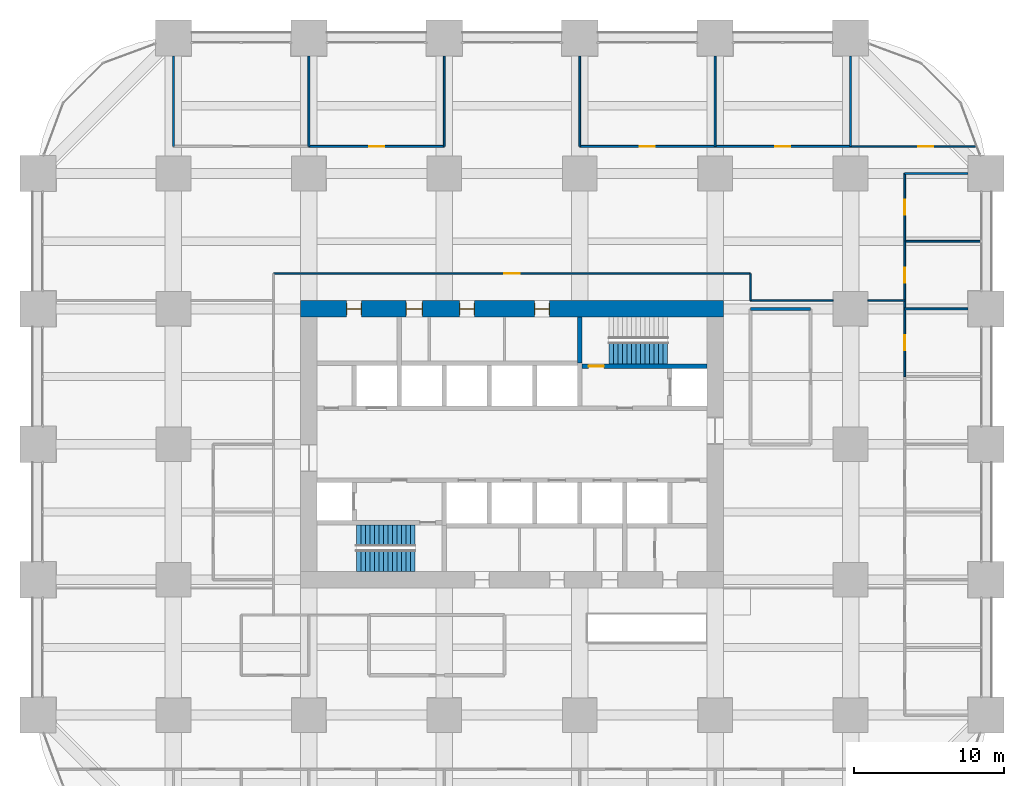
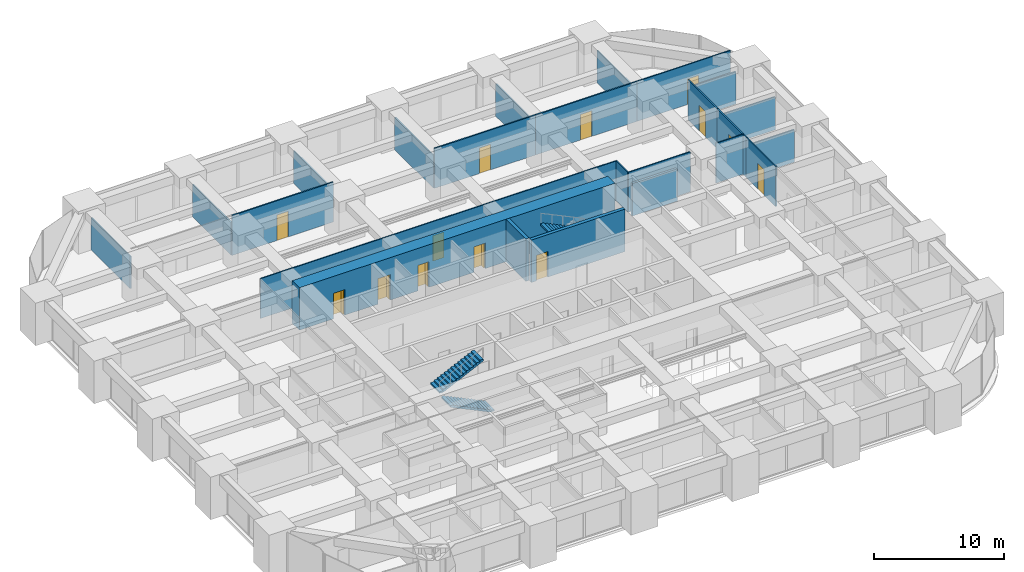
# One storey, part 42 of 45: 24 walls, 13 doors, 3 stair flights, 13 openings, 2 elements without a shape of their own.
"""IFC4 building model written with IfcOpenShell, lengths in metres."""

from ifc_helpers import new_model, si_unit, direction, frame, frame_2d, origin, place, context, subcontext, project, spatial, polyline, rectangle, outline, extrude, material, layer, layer_set, type_object, element, fill, aggregate, save


model = new_model("IFC4")

# Units and contexts
model_context = context("Model", 3, precision=1e-05, world=origin(), true_north=direction((0.0, 1.0)))
body_context = subcontext(model_context, "Body", "Model", "MODEL_VIEW")
ifc_project = project(units=[si_unit("LENGTHUNIT", "METRE"), si_unit("AREAUNIT", "SQUARE_METRE"), si_unit("VOLUMEUNIT", "CUBIC_METRE"), si_unit("PLANEANGLEUNIT", "RADIAN"), si_unit("MASSUNIT", "GRAM", prefix="KILO")], contexts=[model_context])

# Site, building, storey
site_placement = place(None, origin())
site = spatial("IfcSite", under=ifc_project, at=site_placement, CompositionType="ELEMENT")
building_placement = place(site_placement, origin())
building = spatial("IfcBuilding", under=site, at=building_placement, Name="Zorevar Civic Tower", CompositionType="ELEMENT")
storey_placement = place(building_placement, frame((0.0, 0.0, 27.800048828125)))
storey = spatial("IfcBuildingStorey", under=building, at=storey_placement, Name="L06", CompositionType="ELEMENT", Elevation=27.800048828125)

# Wall
ifc_material_1 = material(Name="Concrete blockwork", Category="masonry")
ifc_layer_1 = layer(ifc_material_1, 0.199951171875)
ifc_layer_set_1 = layer_set([ifc_layer_1], Name="Blockwork wall 200")
wall_type_1 = type_object("IfcWallType", Name="Blockwork wall 200", PredefinedType="SOLIDWALL", material=ifc_layer_set_1)
wall_1_placement = place(storey_placement, frame((47.35009765625, 36.0, 0.0), z_axis=(0.0, 0.0, 1.0), x_axis=(1.0, 0.0, 0.0)))
element("IfcWall", 1, at=wall_1_placement, inside=storey, type_object=wall_type_1, Name="Blockwork wall 200 L06", PredefinedType="SOLIDWALL", context=body_context, shape_type="SweptSolid", body=[
    extrude(rectangle(XDim=4.0, YDim=0.199951171875, at=frame_2d((2.0, 0.0))), origin(), (0.0, 0.0, 1.0), 3.050048828125),
])

# Wall, openings, doors
ifc_material_2 = material(Name="Concrete C50/60", Category="concrete")
ifc_layer_2 = layer(ifc_material_2, 1.10009765625)
ifc_layer_set_2 = layer_set([ifc_layer_2], Name="Core wall 1100")
wall_type_2 = type_object("IfcWallType", Name="Core wall 1100", PredefinedType="SHEAR", material=ifc_layer_set_2)
wall_2_placement = place(storey_placement, frame((45.550048828125, 36.0, 0.0), z_axis=(0.0, 0.0, 1.0), x_axis=(-1.0, 0.0, 0.0)))
wall_2 = element("IfcWall", 2, at=wall_2_placement, inside=storey, type_object=wall_type_2, Name="Core wall N L06", PredefinedType="SHEAR", context=body_context, shape_type="SweptSolid", body=[
    extrude(rectangle(XDim=28.10009765625, YDim=1.10009765625, at=frame_2d((14.050048828125, 0.0))), origin(), (0.0, 0.0, 1.0), 4.0),
])
opening_1_placement = place(wall_2_placement, frame((11.550048828125, 0.0, 0.0)))
opening_1 = element("IfcOpeningElement", 3, at=opening_1_placement, cuts=wall_2, Name="Opening L06.07", PredefinedType="OPENING", context=body_context, shape_type="SweptSolid", body=[
    extrude(rectangle(XDim=1.0, YDim=2.39990234375, at=frame_2d((0.5, 1.199951171875))), frame((0.0, 0.56005859375, 0.0), z_axis=(0.0, -1.0, 0.0), x_axis=(1.0, 0.0, 0.0)), (0.0, 0.0, 1.0), 1.1201171875),
])
opening_2_placement = place(wall_2_placement, frame((16.550048828125, 0.0, 0.0)))
opening_2 = element("IfcOpeningElement", 4, at=opening_2_placement, cuts=wall_2, Name="Opening L06.08", PredefinedType="OPENING", context=body_context, shape_type="SweptSolid", body=[
    extrude(rectangle(XDim=1.0, YDim=2.39990234375, at=frame_2d((0.5, 1.199951171875))), frame((0.0, 0.56005859375, 0.0), z_axis=(0.0, -1.0, 0.0), x_axis=(1.0, 0.0, 0.0)), (0.0, 0.0, 1.0), 1.1201171875),
])
opening_3_placement = place(wall_2_placement, frame((20.0, 0.0, 0.0)))
opening_3 = element("IfcOpeningElement", 5, at=opening_3_placement, cuts=wall_2, Name="Opening L06.09", PredefinedType="OPENING", context=body_context, shape_type="SweptSolid", body=[
    extrude(rectangle(XDim=1.10009765625, YDim=2.39990234375, at=frame_2d((0.550048828125, 1.199951171875))), frame((0.0, 0.56005859375, 0.0), z_axis=(0.0, -1.0, 0.0), x_axis=(1.0, 0.0, 0.0)), (0.0, 0.0, 1.0), 1.1201171875),
])
opening_4_placement = place(wall_2_placement, frame((24.050048828125, 0.0, 0.0)))
opening_4 = element("IfcOpeningElement", 6, at=opening_4_placement, cuts=wall_2, Name="Opening L06.10", PredefinedType="OPENING", context=body_context, shape_type="SweptSolid", body=[
    extrude(rectangle(XDim=1.0, YDim=2.39990234375, at=frame_2d((0.5, 1.199951171875))), frame((0.0, 0.56005859375, 0.0), z_axis=(0.0, -1.0, 0.0), x_axis=(1.0, 0.0, 0.0)), (0.0, 0.0, 1.0), 1.1201171875),
])
ifc_material_3 = material(Name="Timber door set", Category="wood")
door_type_1 = type_object("IfcDoorType", Name="Door D1 1000x2400", OperationType="SINGLE_SWING_LEFT", PredefinedType="DOOR", material=ifc_material_3)
door_1_placement = place(opening_1_placement, origin())
door_1 = element("IfcDoor", 7, at=door_1_placement, inside=storey, type_object=door_type_1, Name="Door L06 06", OperationType="SINGLE_SWING_RIGHT", OverallHeight=2.39990234375, OverallWidth=1.0, PredefinedType="DOOR", context=body_context, shape_type="SweptSolid", body=[
    extrude(rectangle(XDim=1.0, YDim=2.39990234375, at=frame_2d((0.5, 1.199951171875))), frame((0.0, 0.02490234375, 0.0), z_axis=(0.0, -1.0, 0.0), x_axis=(1.0, 0.0, 0.0)), (0.0, 0.0, 1.0), 0.050048828125),
    extrude(rectangle(XDim=0.04, YDim=2.39990234375, at=frame_2d((0.02001953125, 1.199951171875))), frame((0.0, 0.39990234375, 0.0), z_axis=(0.0, -1.0, 0.0), x_axis=(1.0, 0.0, 0.0)), (0.0, 0.0, 1.0), 0.800048828125),
    extrude(rectangle(XDim=0.04, YDim=2.39990234375, at=frame_2d((0.97998046875, 1.199951171875))), frame((0.0, 0.39990234375, 0.0), z_axis=(0.0, -1.0, 0.0), x_axis=(1.0, 0.0, 0.0)), (0.0, 0.0, 1.0), 0.800048828125),
    extrude(rectangle(XDim=1.0, YDim=0.04, at=frame_2d((0.5, 2.3798828125))), frame((0.0, 0.39990234375, 0.0), z_axis=(0.0, -1.0, 0.0), x_axis=(1.0, 0.0, 0.0)), (0.0, 0.0, 1.0), 0.800048828125),
])
fill(opening_1, door_1)
door_2_placement = place(opening_2_placement, origin())
door_2 = element("IfcDoor", 8, at=door_2_placement, inside=storey, type_object=door_type_1, Name="Door L06 07", OperationType="SINGLE_SWING_LEFT", OverallHeight=2.39990234375, OverallWidth=1.0, PredefinedType="DOOR", context=body_context, shape_type="SweptSolid", body=[
    extrude(rectangle(XDim=1.0, YDim=2.39990234375, at=frame_2d((0.5, 1.199951171875))), frame((0.0, 0.02490234375, 0.0), z_axis=(0.0, -1.0, 0.0), x_axis=(1.0, 0.0, 0.0)), (0.0, 0.0, 1.0), 0.050048828125),
    extrude(rectangle(XDim=0.04, YDim=2.39990234375, at=frame_2d((0.02001953125, 1.199951171875))), frame((0.0, 0.39990234375, 0.0), z_axis=(0.0, -1.0, 0.0), x_axis=(1.0, 0.0, 0.0)), (0.0, 0.0, 1.0), 0.800048828125),
    extrude(rectangle(XDim=0.04, YDim=2.39990234375, at=frame_2d((0.97998046875, 1.199951171875))), frame((0.0, 0.39990234375, 0.0), z_axis=(0.0, -1.0, 0.0), x_axis=(1.0, 0.0, 0.0)), (0.0, 0.0, 1.0), 0.800048828125),
    extrude(rectangle(XDim=1.0, YDim=0.04, at=frame_2d((0.5, 2.3798828125))), frame((0.0, 0.39990234375, 0.0), z_axis=(0.0, -1.0, 0.0), x_axis=(1.0, 0.0, 0.0)), (0.0, 0.0, 1.0), 0.800048828125),
])
fill(opening_2, door_2)
door_3_placement = place(opening_4_placement, origin())
door_3 = element("IfcDoor", 9, at=door_3_placement, inside=storey, type_object=door_type_1, Name="Door L06 09", OperationType="SINGLE_SWING_LEFT", OverallHeight=2.39990234375, OverallWidth=1.0, PredefinedType="DOOR", context=body_context, shape_type="SweptSolid", body=[
    extrude(rectangle(XDim=1.0, YDim=2.39990234375, at=frame_2d((0.5, 1.199951171875))), frame((0.0, 0.02490234375, 0.0), z_axis=(0.0, -1.0, 0.0), x_axis=(1.0, 0.0, 0.0)), (0.0, 0.0, 1.0), 0.050048828125),
    extrude(rectangle(XDim=0.04, YDim=2.39990234375, at=frame_2d((0.02001953125, 1.199951171875))), frame((0.0, 0.39990234375, 0.0), z_axis=(0.0, -1.0, 0.0), x_axis=(1.0, 0.0, 0.0)), (0.0, 0.0, 1.0), 0.800048828125),
    extrude(rectangle(XDim=0.04, YDim=2.39990234375, at=frame_2d((0.97998046875, 1.199951171875))), frame((0.0, 0.39990234375, 0.0), z_axis=(0.0, -1.0, 0.0), x_axis=(1.0, 0.0, 0.0)), (0.0, 0.0, 1.0), 0.800048828125),
    extrude(rectangle(XDim=1.0, YDim=0.04, at=frame_2d((0.5, 2.3798828125))), frame((0.0, 0.39990234375, 0.0), z_axis=(0.0, -1.0, 0.0), x_axis=(1.0, 0.0, 0.0)), (0.0, 0.0, 1.0), 0.800048828125),
])
fill(opening_4, door_3)
ifc_material_4 = material(Name="Timber door set", Category="wood")
door_type_2 = type_object("IfcDoorType", Name="Door D5 1100x2400", OperationType="SINGLE_SWING_LEFT", PredefinedType="DOOR", material=ifc_material_4)
door_4_placement = place(opening_3_placement, origin())
door_4 = element("IfcDoor", 10, at=door_4_placement, inside=storey, type_object=door_type_2, Name="Door L06 08", OperationType="SINGLE_SWING_LEFT", OverallHeight=2.39990234375, OverallWidth=1.10009765625, PredefinedType="DOOR", context=body_context, shape_type="SweptSolid", body=[
    extrude(rectangle(XDim=1.10009765625, YDim=2.39990234375, at=frame_2d((0.550048828125, 1.199951171875))), frame((0.0, 0.02490234375, 0.0), z_axis=(0.0, -1.0, 0.0), x_axis=(1.0, 0.0, 0.0)), (0.0, 0.0, 1.0), 0.050048828125),
    extrude(rectangle(XDim=0.04, YDim=2.39990234375, at=frame_2d((0.02001953125, 1.199951171875))), frame((0.0, 0.43994140625, 0.0), z_axis=(0.0, -1.0, 0.0), x_axis=(1.0, 0.0, 0.0)), (0.0, 0.0, 1.0), 0.880126953125),
    extrude(rectangle(XDim=0.04, YDim=2.39990234375, at=frame_2d((1.080078125, 1.199951171875))), frame((0.0, 0.43994140625, 0.0), z_axis=(0.0, -1.0, 0.0), x_axis=(1.0, 0.0, 0.0)), (0.0, 0.0, 1.0), 0.880126953125),
    extrude(rectangle(XDim=1.10009765625, YDim=0.04, at=frame_2d((0.550048828125, 2.3798828125))), frame((0.0, 0.43994140625, 0.0), z_axis=(0.0, -1.0, 0.0), x_axis=(1.0, 0.0, 0.0)), (0.0, 0.0, 1.0), 0.880126953125),
])
fill(opening_3, door_4)

# Walls
ifc_material_5 = material(Name="Laminated glass in black aluminium frame", Category="aluminium")
ifc_layer_3 = layer(ifc_material_5, 0.10009765625)
ifc_layer_set_3 = layer_set([ifc_layer_3], Name="Glazed partition 100")
wall_type_3 = type_object("IfcWallType", Name="Glazed partition 100", PredefinedType="PARTITIONING", material=ifc_layer_set_3)
wall_3_placement = place(storey_placement, frame((47.35009765625, 36.550048828125, 0.0), z_axis=(0.0, 0.0, 1.0), x_axis=(1.0, 0.0, 0.0)))
element("IfcWall", 11, at=wall_3_placement, inside=storey, type_object=wall_type_3, Name="Glazed partition 100 L06", PredefinedType="PARTITIONING", context=body_context, shape_type="SweptSolid", body=[
    extrude(rectangle(XDim=5.5, YDim=0.10009765625, at=frame_2d((2.75, 0.0))), origin(), (0.0, 0.0, 1.0), 3.75),
])
wall_4_placement = place(storey_placement, frame((55.14990234375, 36.550048828125, 0.0), z_axis=(0.0, 0.0, 1.0), x_axis=(1.0, 0.0, 0.0)))
element("IfcWall", 12, at=wall_4_placement, inside=storey, type_object=wall_type_3, Name="Glazed partition 100 L06", PredefinedType="PARTITIONING", context=body_context, shape_type="SweptSolid", body=[
    extrude(rectangle(XDim=2.460205078125, YDim=0.10009765625, at=frame_2d((1.22998046875, 0.0))), origin(), (0.0, 0.0, 1.0), 3.75),
])

# Wall, opening, door
wall_5_placement = place(storey_placement, frame((15.64990234375, 38.35009765625, 0.0), z_axis=(0.0, 0.0, 1.0), x_axis=(1.0, 0.0, 0.0)))
wall_5 = element("IfcWall", 13, at=wall_5_placement, inside=storey, type_object=wall_type_3, Name="Glazed partition 100 L06", PredefinedType="PARTITIONING", context=body_context, shape_type="SweptSolid", body=[
    extrude(rectangle(XDim=31.7001953125, YDim=0.10009765625, at=frame_2d((15.85009765625, 0.0))), origin(), (0.0, 0.0, 1.0), 3.75),
])
opening_5_placement = place(wall_5_placement, frame((15.35009765625, 0.0, 0.0)))
opening_5 = element("IfcOpeningElement", 14, at=opening_5_placement, cuts=wall_5, Name="Opening L06.29", PredefinedType="OPENING", context=body_context, shape_type="SweptSolid", body=[
    extrude(rectangle(XDim=1.0, YDim=2.39990234375, at=frame_2d((0.5, 1.199951171875))), frame((0.0, 0.06005859375, 0.0), z_axis=(0.0, -1.0, 0.0), x_axis=(1.0, 0.0, 0.0)), (0.0, 0.0, 1.0), 0.1201171875),
])
ifc_material_6 = material(Name="Timber door set", Category="wood")
door_type_3 = type_object("IfcDoorType", Name="Glazed door GD1 1000x2400", OperationType="SINGLE_SWING_LEFT", PredefinedType="DOOR", material=ifc_material_6)
door_5_placement = place(opening_5_placement, origin())
door_5 = element("IfcDoor", 15, at=door_5_placement, inside=storey, type_object=door_type_3, Name="Door L06 D1", OperationType="SINGLE_SWING_LEFT", OverallHeight=2.39990234375, OverallWidth=1.0, PredefinedType="DOOR", context=body_context, shape_type="SweptSolid", body=[
    extrude(rectangle(XDim=1.0, YDim=2.39990234375, at=frame_2d((0.5, 1.199951171875))), frame((0.0, 0.02001953125, 0.0), z_axis=(0.0, -1.0, 0.0), x_axis=(1.0, 0.0, 0.0)), (0.0, 0.0, 1.0), 0.0400390625),
])
fill(opening_5, door_5)

wall_6_placement = place(storey_placement, frame((54.0, 46.800048828125, 0.0), z_axis=(0.0, 0.0, 1.0), x_axis=(1.0, 0.0, 0.0)))
wall_6 = element("IfcWall", 16, at=wall_6_placement, inside=storey, type_object=wall_type_3, Name="Glazed partition 100 L06", PredefinedType="PARTITIONING", context=body_context, shape_type="SweptSolid", body=[
    extrude(rectangle(XDim=8.359375, YDim=0.10009765625, at=frame_2d((4.1796875, 0.0))), origin(), (0.0, 0.0, 1.0), 3.75),
])
opening_6_placement = place(wall_6_placement, frame((4.5, 0.0, 0.0)))
opening_6 = element("IfcOpeningElement", 17, at=opening_6_placement, cuts=wall_6, Name="Opening L06.34", PredefinedType="OPENING", context=body_context, shape_type="SweptSolid", body=[
    extrude(rectangle(XDim=1.0, YDim=2.39990234375, at=frame_2d((0.5, 1.199951171875))), frame((0.0, 0.06005859375, 0.0), z_axis=(0.0, -1.0, 0.0), x_axis=(1.0, 0.0, 0.0)), (0.0, 0.0, 1.0), 0.1201171875),
])
door_6_placement = place(opening_6_placement, origin())
door_6 = element("IfcDoor", 18, at=door_6_placement, inside=storey, type_object=door_type_3, Name="Door L06 D1", OperationType="SINGLE_SWING_RIGHT", OverallHeight=2.39990234375, OverallWidth=1.0, PredefinedType="DOOR", context=body_context, shape_type="SweptSolid", body=[
    extrude(rectangle(XDim=1.0, YDim=2.39990234375, at=frame_2d((0.5, 1.199951171875))), frame((0.0, 0.02001953125, 0.0), z_axis=(0.0, -1.0, 0.0), x_axis=(1.0, 0.0, 0.0)), (0.0, 0.0, 1.0), 0.0400390625),
])
fill(opening_6, door_6)

# Wall
wall_7_placement = place(storey_placement, frame((47.35009765625, 36.550048828125, 0.0), z_axis=(0.0, 0.0, 1.0), x_axis=(0.0, 1.0, 0.0)))
element("IfcWall", 19, at=wall_7_placement, inside=storey, type_object=wall_type_3, Name="Glazed partition 100 L06", PredefinedType="PARTITIONING", context=body_context, shape_type="SweptSolid", body=[
    extrude(rectangle(XDim=1.800048828125, YDim=0.10009765625, at=frame_2d((0.89990234375, 0.0))), origin(), (0.0, 0.0, 1.0), 3.75),
])

# Wall, opening, door
ifc_material_7 = material(Name="Concrete C40/50", Category="concrete")
ifc_layer_4 = layer(ifc_material_7, 0.300048828125)
ifc_layer_set_4 = layer_set([ifc_layer_4], Name="Inner core wall 300")
wall_type_4 = type_object("IfcWallType", Name="Inner core wall 300", PredefinedType="SHEAR", material=ifc_layer_set_4)
wall_8_placement = place(storey_placement, frame((36.14990234375, 32.199951171875, 0.0), z_axis=(0.0, 0.0, 1.0), x_axis=(1.0, 0.0, 0.0)))
wall_8 = element("IfcWall", 20, at=wall_8_placement, inside=storey, type_object=wall_type_4, Name="Inner core wall N00 L06", PredefinedType="SHEAR", context=body_context, shape_type="SweptSolid", body=[
    extrude(rectangle(XDim=8.300048828125, YDim=0.300048828125, at=frame_2d((4.14990234375, 0.0))), origin(), (0.0, 0.0, 1.0), 4.0),
])
opening_7_placement = place(wall_8_placement, frame((0.449951171875, 0.0, 0.0)))
opening_7 = element("IfcOpeningElement", 21, at=opening_7_placement, cuts=wall_8, Name="Opening L06.12", PredefinedType="OPENING", context=body_context, shape_type="SweptSolid", body=[
    extrude(rectangle(XDim=1.0, YDim=2.39990234375, at=frame_2d((0.5, 1.199951171875))), frame((0.0, 0.159912109375, 0.0), z_axis=(0.0, -1.0, 0.0), x_axis=(1.0, 0.0, 0.0)), (0.0, 0.0, 1.0), 0.320068359375),
])
ifc_material_8 = material(Name="Steel door set", Category="steel")
door_type_4 = type_object("IfcDoorType", Name="Fire door FD1 1000x2400", OperationType="SINGLE_SWING_LEFT", PredefinedType="DOOR", material=ifc_material_8)
door_7_placement = place(opening_7_placement, origin())
door_7 = element("IfcDoor", 22, at=door_7_placement, inside=storey, type_object=door_type_4, Name="Door L06 11", OperationType="SINGLE_SWING_RIGHT", OverallHeight=2.39990234375, OverallWidth=1.0, PredefinedType="DOOR", context=body_context, shape_type="SweptSolid", body=[
    extrude(rectangle(XDim=1.0, YDim=2.39990234375, at=frame_2d((0.5, 1.199951171875))), frame((0.0, 0.030029296875, 0.0), z_axis=(0.0, -1.0, 0.0), x_axis=(1.0, 0.0, 0.0)), (0.0, 0.0, 1.0), 0.06005859375),
])
fill(opening_7, door_7)

# Walls
wall_9_placement = place(storey_placement, frame((36.0, 32.39990234375, 0.0), z_axis=(0.0, 0.0, 1.0), x_axis=(0.0, 1.0, 0.0)))
element("IfcWall", 23, at=wall_9_placement, inside=storey, type_object=wall_type_4, Name="Inner core wall N01 L06", PredefinedType="SHEAR", context=body_context, shape_type="SweptSolid", body=[
    extrude(rectangle(XDim=3.050048828125, YDim=0.300048828125, at=frame_2d((1.52490234375, 0.0))), origin(), (0.0, 0.0, 1.0), 4.0),
])
ifc_material_9 = material(Name="Gypsum board on steel studs", Category="steel")
ifc_layer_5 = layer(ifc_material_9, 0.1201171875)
ifc_layer_set_5 = layer_set([ifc_layer_5], Name="Partition 120")
wall_type_5 = type_object("IfcWallType", Name="Partition 120", PredefinedType="PARTITIONING", material=ifc_layer_set_5)
wall_10_placement = place(storey_placement, frame((57.60009765625, 36.0, 0.0), z_axis=(0.0, 0.0, 1.0), x_axis=(1.0, 0.0, 0.0)))
element("IfcWall", 24, at=wall_10_placement, inside=storey, type_object=wall_type_5, Name="Partition 120 L06", PredefinedType="PARTITIONING", context=body_context, shape_type="SweptSolid", body=[
    extrude(rectangle(XDim=4.199951171875, YDim=0.1201171875, at=frame_2d((2.10009765625, 0.0))), origin(), (0.0, 0.0, 1.0), 3.050048828125),
])
wall_11_placement = place(storey_placement, frame((57.60009765625, 40.5, 0.0), z_axis=(0.0, 0.0, 1.0), x_axis=(1.0, 0.0, 0.0)))
element("IfcWall", 25, at=wall_11_placement, inside=storey, type_object=wall_type_5, Name="Partition 120 L06", PredefinedType="PARTITIONING", context=body_context, shape_type="SweptSolid", body=[
    extrude(rectangle(XDim=5.08984375, YDim=0.1201171875, at=frame_2d((2.544921875, 0.0))), origin(), (0.0, 0.0, 1.0), 3.099853515625),
])
wall_12_placement = place(storey_placement, frame((57.60009765625, 45.0, 0.0), z_axis=(0.0, 0.0, 1.0), x_axis=(1.0, 0.0, 0.0)))
element("IfcWall", 26, at=wall_12_placement, inside=storey, type_object=wall_type_5, Name="Partition 120 L06", PredefinedType="PARTITIONING", context=body_context, shape_type="SweptSolid", body=[
    extrude(rectangle(XDim=4.199951171875, YDim=0.1201171875, at=frame_2d((2.10009765625, 0.0))), origin(), (0.0, 0.0, 1.0), 3.050048828125),
])

# Wall, opening, door
wall_13_placement = place(storey_placement, frame((18.0, 46.800048828125, 0.0), z_axis=(0.0, 0.0, 1.0), x_axis=(1.0, 0.0, 0.0)))
wall_13 = element("IfcWall", 27, at=wall_13_placement, inside=storey, type_object=wall_type_5, Name="Partition 120 L06", PredefinedType="PARTITIONING", context=body_context, shape_type="SweptSolid", body=[
    extrude(rectangle(XDim=9.0, YDim=0.1201171875, at=frame_2d((4.5, 0.0))), origin(), (0.0, 0.0, 1.0), 3.75),
])
opening_8_placement = place(wall_13_placement, frame((4.0, 0.0, 0.0)))
opening_8 = element("IfcOpeningElement", 28, at=opening_8_placement, cuts=wall_13, Name="Opening L06.31", PredefinedType="OPENING", context=body_context, shape_type="SweptSolid", body=[
    extrude(rectangle(XDim=1.0, YDim=2.39990234375, at=frame_2d((0.5, 1.199951171875))), frame((0.0, 0.070068359375, 0.0), z_axis=(0.0, -1.0, 0.0), x_axis=(1.0, 0.0, 0.0)), (0.0, 0.0, 1.0), 0.14013671875),
])
door_8_placement = place(opening_8_placement, origin())
door_8 = element("IfcDoor", 29, at=door_8_placement, inside=storey, type_object=door_type_1, Name="Door L06 D1", OperationType="SINGLE_SWING_LEFT", OverallHeight=2.39990234375, OverallWidth=1.0, PredefinedType="DOOR", context=body_context, shape_type="SweptSolid", body=[
    extrude(rectangle(XDim=1.0, YDim=2.39990234375, at=frame_2d((0.5, 1.199951171875))), frame((0.0, 0.02490234375, 0.0), z_axis=(0.0, -1.0, 0.0), x_axis=(1.0, 0.0, 0.0)), (0.0, 0.0, 1.0), 0.050048828125),
])
fill(opening_8, door_8)

wall_14_placement = place(storey_placement, frame((36.0, 46.800048828125, 0.0), z_axis=(0.0, 0.0, 1.0), x_axis=(1.0, 0.0, 0.0)))
wall_14 = element("IfcWall", 30, at=wall_14_placement, inside=storey, type_object=wall_type_5, Name="Partition 120 L06", PredefinedType="PARTITIONING", context=body_context, shape_type="SweptSolid", body=[
    extrude(rectangle(XDim=9.0, YDim=0.1201171875, at=frame_2d((4.5, 0.0))), origin(), (0.0, 0.0, 1.0), 3.75),
])
opening_9_placement = place(wall_14_placement, frame((4.0, 0.0, 0.0)))
opening_9 = element("IfcOpeningElement", 31, at=opening_9_placement, cuts=wall_14, Name="Opening L06.32", PredefinedType="OPENING", context=body_context, shape_type="SweptSolid", body=[
    extrude(rectangle(XDim=1.0, YDim=2.39990234375, at=frame_2d((0.5, 1.199951171875))), frame((0.0, 0.070068359375, 0.0), z_axis=(0.0, -1.0, 0.0), x_axis=(1.0, 0.0, 0.0)), (0.0, 0.0, 1.0), 0.14013671875),
])
door_9_placement = place(opening_9_placement, origin())
door_9 = element("IfcDoor", 32, at=door_9_placement, inside=storey, type_object=door_type_1, Name="Door L06 D1", OperationType="SINGLE_SWING_RIGHT", OverallHeight=2.39990234375, OverallWidth=1.0, PredefinedType="DOOR", context=body_context, shape_type="SweptSolid", body=[
    extrude(rectangle(XDim=1.0, YDim=2.39990234375, at=frame_2d((0.5, 1.199951171875))), frame((0.0, 0.02490234375, 0.0), z_axis=(0.0, -1.0, 0.0), x_axis=(1.0, 0.0, 0.0)), (0.0, 0.0, 1.0), 0.050048828125),
])
fill(opening_9, door_9)

wall_15_placement = place(storey_placement, frame((45.0, 46.800048828125, 0.0), z_axis=(0.0, 0.0, 1.0), x_axis=(1.0, 0.0, 0.0)))
wall_15 = element("IfcWall", 33, at=wall_15_placement, inside=storey, type_object=wall_type_5, Name="Partition 120 L06", PredefinedType="PARTITIONING", context=body_context, shape_type="SweptSolid", body=[
    extrude(rectangle(XDim=9.0, YDim=0.1201171875, at=frame_2d((4.5, 0.0))), origin(), (0.0, 0.0, 1.0), 3.75),
])
opening_10_placement = place(wall_15_placement, frame((4.0, 0.0, 0.0)))
opening_10 = element("IfcOpeningElement", 34, at=opening_10_placement, cuts=wall_15, Name="Opening L06.33", PredefinedType="OPENING", context=body_context, shape_type="SweptSolid", body=[
    extrude(rectangle(XDim=1.0, YDim=2.39990234375, at=frame_2d((0.5, 1.199951171875))), frame((0.0, 0.070068359375, 0.0), z_axis=(0.0, -1.0, 0.0), x_axis=(1.0, 0.0, 0.0)), (0.0, 0.0, 1.0), 0.14013671875),
])
door_10_placement = place(opening_10_placement, origin())
door_10 = element("IfcDoor", 35, at=door_10_placement, inside=storey, type_object=door_type_1, Name="Door L06 D1", OperationType="SINGLE_SWING_RIGHT", OverallHeight=2.39990234375, OverallWidth=1.0, PredefinedType="DOOR", context=body_context, shape_type="SweptSolid", body=[
    extrude(rectangle(XDim=1.0, YDim=2.39990234375, at=frame_2d((0.5, 1.199951171875))), frame((0.0, 0.02490234375, 0.0), z_axis=(0.0, -1.0, 0.0), x_axis=(1.0, 0.0, 0.0)), (0.0, 0.0, 1.0), 0.050048828125),
])
fill(opening_10, door_10)

# Walls
for number, where, z_axis, x_axis, name in (
    (36, (9.0, 46.800048828125, 0.0), (0.0, 0.0, 1.0), (0.0, 1.0, 0.0), "Partition 120 L06"),
    (37, (18.0, 46.800048828125, 0.0), (0.0, 0.0, 1.0), (0.0, 1.0, 0.0), "Partition 120 L06"),
    (38, (27.0, 46.800048828125, 0.0), (0.0, 0.0, 1.0), (0.0, 1.0, 0.0), "Partition 120 L06"),
    (39, (36.0, 46.800048828125, 0.0), (0.0, 0.0, 1.0), (0.0, 1.0, 0.0), "Partition 120 L06"),
    (40, (45.0, 46.800048828125, 0.0), (0.0, 0.0, 1.0), (0.0, 1.0, 0.0), "Partition 120 L06"),
    (41, (54.0, 46.800048828125, 0.0), (0.0, 0.0, 1.0), (0.0, 1.0, 0.0), "Partition 120 L06"),
):
    element("IfcWall", number, at=place(storey_placement, frame(where, z_axis=z_axis, x_axis=x_axis)), inside=storey, type_object=wall_type_5, Name=name, PredefinedType="PARTITIONING", context=body_context, shape_type="SweptSolid", body=[
        extrude(rectangle(XDim=6.0, YDim=0.1201171875, at=frame_2d((3.0, 0.0))), origin(), (0.0, 0.0, 1.0), 3.050048828125),
    ])

# Wall, opening, door
wall_16_placement = place(storey_placement, frame((57.60009765625, 31.5, 0.0), z_axis=(0.0, 0.0, 1.0), x_axis=(0.0, 1.0, 0.0)))
wall_16 = element("IfcWall", 42, at=wall_16_placement, inside=storey, type_object=wall_type_5, Name="Partition 120 L06", PredefinedType="PARTITIONING", context=body_context, shape_type="SweptSolid", body=[
    extrude(rectangle(XDim=4.5, YDim=0.1201171875, at=frame_2d((2.25, 0.0))), origin(), (0.0, 0.0, 1.0), 3.75),
])
opening_11_placement = place(wall_16_placement, frame((1.75, 0.0, 0.0)))
opening_11 = element("IfcOpeningElement", 43, at=opening_11_placement, cuts=wall_16, Name="Opening L06.44", PredefinedType="OPENING", context=body_context, shape_type="SweptSolid", body=[
    extrude(rectangle(XDim=1.0, YDim=2.39990234375, at=frame_2d((0.5, 1.199951171875))), frame((0.0, 0.070068359375, 0.0), z_axis=(0.0, -1.0, 0.0), x_axis=(1.0, 0.0, 0.0)), (0.0, 0.0, 1.0), 0.14013671875),
])
door_11_placement = place(opening_11_placement, origin())
door_11 = element("IfcDoor", 44, at=door_11_placement, inside=storey, type_object=door_type_1, Name="Door L06 D1", OperationType="SINGLE_SWING_LEFT", OverallHeight=2.39990234375, OverallWidth=1.0, PredefinedType="DOOR", context=body_context, shape_type="SweptSolid", body=[
    extrude(rectangle(XDim=1.0, YDim=2.39990234375, at=frame_2d((0.5, 1.199951171875))), frame((0.0, 0.02490234375, 0.0), z_axis=(0.0, -1.0, 0.0), x_axis=(1.0, 0.0, 0.0)), (0.0, 0.0, 1.0), 0.050048828125),
])
fill(opening_11, door_11)

wall_17_placement = place(storey_placement, frame((57.60009765625, 36.0, 0.0), z_axis=(0.0, 0.0, 1.0), x_axis=(0.0, 1.0, 0.0)))
wall_17 = element("IfcWall", 45, at=wall_17_placement, inside=storey, type_object=wall_type_5, Name="Partition 120 L06", PredefinedType="PARTITIONING", context=body_context, shape_type="SweptSolid", body=[
    extrude(rectangle(XDim=4.5, YDim=0.1201171875, at=frame_2d((2.25, 0.0))), origin(), (0.0, 0.0, 1.0), 3.75),
])
opening_12_placement = place(wall_17_placement, frame((1.75, 0.0, 0.0)))
opening_12 = element("IfcOpeningElement", 46, at=opening_12_placement, cuts=wall_17, Name="Opening L06.45", PredefinedType="OPENING", context=body_context, shape_type="SweptSolid", body=[
    extrude(rectangle(XDim=1.0, YDim=2.39990234375, at=frame_2d((0.5, 1.199951171875))), frame((0.0, 0.070068359375, 0.0), z_axis=(0.0, -1.0, 0.0), x_axis=(1.0, 0.0, 0.0)), (0.0, 0.0, 1.0), 0.14013671875),
])
door_12_placement = place(opening_12_placement, origin())
door_12 = element("IfcDoor", 47, at=door_12_placement, inside=storey, type_object=door_type_1, Name="Door L06 D1", OperationType="SINGLE_SWING_RIGHT", OverallHeight=2.39990234375, OverallWidth=1.0, PredefinedType="DOOR", context=body_context, shape_type="SweptSolid", body=[
    extrude(rectangle(XDim=1.0, YDim=2.39990234375, at=frame_2d((0.5, 1.199951171875))), frame((0.0, 0.02490234375, 0.0), z_axis=(0.0, -1.0, 0.0), x_axis=(1.0, 0.0, 0.0)), (0.0, 0.0, 1.0), 0.050048828125),
])
fill(opening_12, door_12)

wall_18_placement = place(storey_placement, frame((57.60009765625, 40.5, 0.0), z_axis=(0.0, 0.0, 1.0), x_axis=(0.0, 1.0, 0.0)))
wall_18 = element("IfcWall", 48, at=wall_18_placement, inside=storey, type_object=wall_type_5, Name="Partition 120 L06", PredefinedType="PARTITIONING", context=body_context, shape_type="SweptSolid", body=[
    extrude(rectangle(XDim=4.5, YDim=0.1201171875, at=frame_2d((2.25, 0.0))), origin(), (0.0, 0.0, 1.0), 3.75),
])
opening_13_placement = place(wall_18_placement, frame((1.75, 0.0, 0.0)))
opening_13 = element("IfcOpeningElement", 49, at=opening_13_placement, cuts=wall_18, Name="Opening L06.46", PredefinedType="OPENING", context=body_context, shape_type="SweptSolid", body=[
    extrude(rectangle(XDim=1.0, YDim=2.39990234375, at=frame_2d((0.5, 1.199951171875))), frame((0.0, 0.070068359375, 0.0), z_axis=(0.0, -1.0, 0.0), x_axis=(1.0, 0.0, 0.0)), (0.0, 0.0, 1.0), 0.14013671875),
])
door_13_placement = place(opening_13_placement, origin())
door_13 = element("IfcDoor", 50, at=door_13_placement, inside=storey, type_object=door_type_1, Name="Door L06 D1", OperationType="SINGLE_SWING_LEFT", OverallHeight=2.39990234375, OverallWidth=1.0, PredefinedType="DOOR", context=body_context, shape_type="SweptSolid", body=[
    extrude(rectangle(XDim=1.0, YDim=2.39990234375, at=frame_2d((0.5, 1.199951171875))), frame((0.0, 0.02490234375, 0.0), z_axis=(0.0, -1.0, 0.0), x_axis=(1.0, 0.0, 0.0)), (0.0, 0.0, 1.0), 0.050048828125),
])
fill(opening_13, door_13)

# Stair, stair flights
ifc_material_10 = material(Name="Precast concrete C40/50", Category="concrete")
stair_type = type_object("IfcStairType", Name="Stair ST 28R", PredefinedType="HALF_TURN_STAIR", material=ifc_material_10)
stair_1_placement = place(storey_placement, origin())
stair_1 = element("IfcStair", 51, at=stair_1_placement, inside=storey, type_object=stair_type, Name="Stair ST1 L06", PredefinedType="HALF_TURN_STAIR")
ifc_material_11 = material(Name="Precast concrete C40/50", Category="concrete")
stair_flight_type = type_object("IfcStairFlightType", Name="Stair flight", PredefinedType="STRAIGHT", material=ifc_material_11)
stair_flight_1_placement = place(storey_placement, frame((25.050048828125, 19.262451171875, 0.0), z_axis=(0.0, 0.0, 1.0), x_axis=(-1.0, 0.0, 0.0)))
stair_flight_1 = element("IfcStairFlight", 52, at=stair_flight_1_placement, type_object=stair_flight_type, Name="ST1 flight 1", NumberOfRisers=14, NumberOfTreads=13, PredefinedType="STRAIGHT", RiserHeight=0.142857143, TreadLength=0.3, context=body_context, shape_type="SweptSolid", body=[
    extrude(outline(polyline([(0.0, 0.0), (0.0, 0.142822265625), (0.300048828125, 0.142822265625), (0.300048828125, 0.28564453125), (0.60009765625, 0.28564453125), (0.60009765625, 0.428466796875), (0.89990234375, 0.428466796875), (0.89990234375, 0.571533203125), (1.199951171875, 0.571533203125), (1.199951171875, 0.71435546875), (1.5, 0.71435546875), (1.5, 0.857177734375), (1.800048828125, 0.857177734375), (1.800048828125, 1.0), (2.10009765625, 1.0), (2.10009765625, 1.142822265625), (2.39990234375, 1.142822265625), (2.39990234375, 1.28564453125), (2.699951171875, 1.28564453125), (2.699951171875, 1.428466796875), (3.0, 1.428466796875), (3.0, 1.571533203125), (3.300048828125, 1.571533203125), (3.300048828125, 1.71435546875), (3.60009765625, 1.71435546875), (3.60009765625, 1.857177734375), (3.89990234375, 1.857177734375), (3.89990234375, 2.0), (3.89990234375, 1.691162109375), (0.3486328125, 0.0), (0.0, 0.0)])), frame((0.0, 0.71240234375, 0.0), z_axis=(0.0, -1.0, 0.0), x_axis=(1.0, 0.0, 0.0)), (0.0, 0.0, 1.0), 1.425048828125),
])
stair_flight_2_placement = place(storey_placement, frame((21.14990234375, 20.9375, 2.0), z_axis=(0.0, 0.0, 1.0), x_axis=(1.0, 0.0, 0.0)))
stair_flight_2 = element("IfcStairFlight", 53, at=stair_flight_2_placement, type_object=stair_flight_type, Name="ST1 flight 2", NumberOfRisers=14, NumberOfTreads=13, PredefinedType="STRAIGHT", RiserHeight=0.142857143, TreadLength=0.3, context=body_context, shape_type="SweptSolid", body=[
    extrude(outline(polyline([(0.0, 0.0), (0.0, 0.142822265625), (0.300048828125, 0.142822265625), (0.300048828125, 0.28564453125), (0.60009765625, 0.28564453125), (0.60009765625, 0.428466796875), (0.89990234375, 0.428466796875), (0.89990234375, 0.571533203125), (1.199951171875, 0.571533203125), (1.199951171875, 0.71435546875), (1.5, 0.71435546875), (1.5, 0.857177734375), (1.800048828125, 0.857177734375), (1.800048828125, 1.0), (2.10009765625, 1.0), (2.10009765625, 1.142822265625), (2.39990234375, 1.142822265625), (2.39990234375, 1.28564453125), (2.699951171875, 1.28564453125), (2.699951171875, 1.428466796875), (3.0, 1.428466796875), (3.0, 1.571533203125), (3.300048828125, 1.571533203125), (3.300048828125, 1.71435546875), (3.60009765625, 1.71435546875), (3.60009765625, 1.857177734375), (3.89990234375, 1.857177734375), (3.89990234375, 2.0), (3.89990234375, 1.691162109375), (0.3486328125, 0.0), (0.0, 0.0)])), frame((0.0, 0.71240234375, 0.0), z_axis=(0.0, -1.0, 0.0), x_axis=(1.0, 0.0, 0.0)), (0.0, 0.0, 1.0), 1.425048828125),
])
aggregate(stair_1, [stair_flight_1, stair_flight_2])

# Stair, stair flight
stair_2_placement = place(storey_placement, origin())
stair_2 = element("IfcStair", 54, at=stair_2_placement, inside=storey, type_object=stair_type, Name="Stair ST2 L06", PredefinedType="HALF_TURN_STAIR")
stair_flight_3_placement = place(storey_placement, frame((41.85009765625, 33.0625, 2.0), z_axis=(0.0, 0.0, 1.0), x_axis=(-1.0, 0.0, 0.0)))
stair_flight_3 = element("IfcStairFlight", 55, at=stair_flight_3_placement, type_object=stair_flight_type, Name="ST2 flight 2", NumberOfRisers=14, NumberOfTreads=13, PredefinedType="STRAIGHT", RiserHeight=0.142857143, TreadLength=0.3, context=body_context, shape_type="SweptSolid", body=[
    extrude(outline(polyline([(0.0, 0.0), (0.0, 0.142822265625), (0.300048828125, 0.142822265625), (0.300048828125, 0.28564453125), (0.60009765625, 0.28564453125), (0.60009765625, 0.428466796875), (0.89990234375, 0.428466796875), (0.89990234375, 0.571533203125), (1.199951171875, 0.571533203125), (1.199951171875, 0.71435546875), (1.5, 0.71435546875), (1.5, 0.857177734375), (1.800048828125, 0.857177734375), (1.800048828125, 1.0), (2.10009765625, 1.0), (2.10009765625, 1.142822265625), (2.39990234375, 1.142822265625), (2.39990234375, 1.28564453125), (2.699951171875, 1.28564453125), (2.699951171875, 1.428466796875), (3.0, 1.428466796875), (3.0, 1.571533203125), (3.300048828125, 1.571533203125), (3.300048828125, 1.71435546875), (3.60009765625, 1.71435546875), (3.60009765625, 1.857177734375), (3.89990234375, 1.857177734375), (3.89990234375, 2.0), (3.89990234375, 1.691162109375), (0.3486328125, 0.0), (0.0, 0.0)])), frame((0.0, 0.71240234375, 0.0), z_axis=(0.0, -1.0, 0.0), x_axis=(1.0, 0.0, 0.0)), (0.0, 0.0, 1.0), 1.425048828125),
])
aggregate(stair_2, [stair_flight_3])

save(model, "model.ifc")
